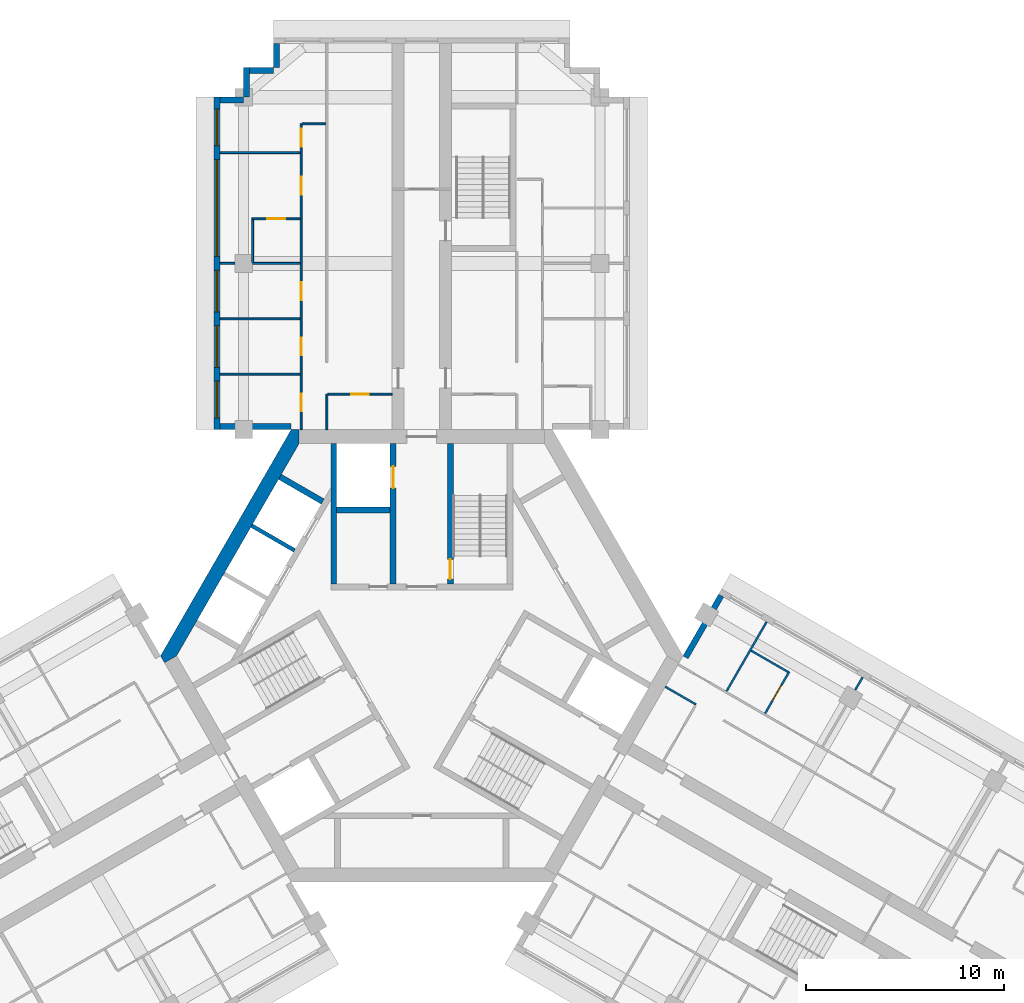
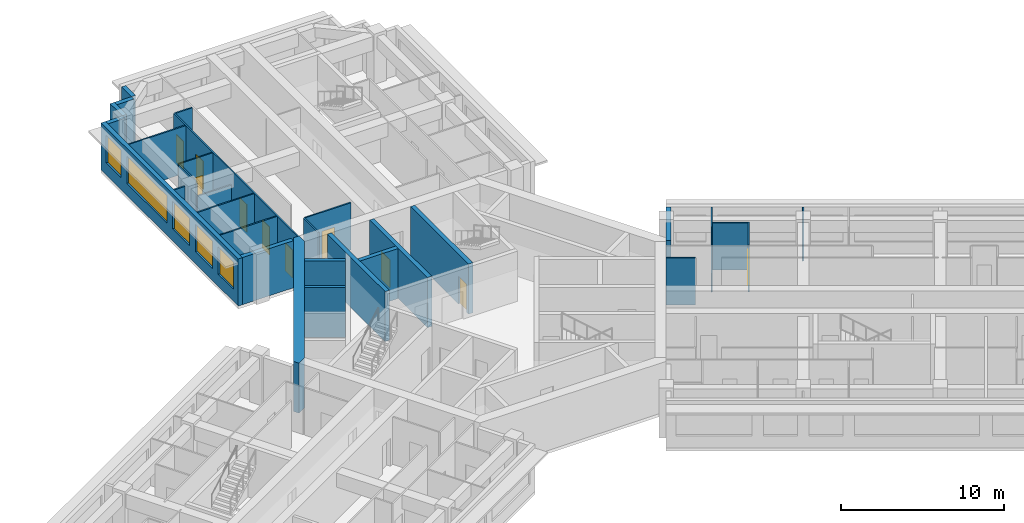
# One storey, part 7 of 11: 30 walls, 10 doors, 5 windows, 15 openings.
"""IFC4 building model written with IfcOpenShell, lengths in metres."""

from ifc_helpers import new_model, si_unit, direction, frame, frame_2d, origin, place, context, subcontext, project, spatial, polyline, rectangle, outline, extrude, material, layer, layer_set, type_object, element, fill, save


model = new_model("IFC4")

# Units and contexts
model_context = context("Model", 3, precision=1e-05, world=origin(), true_north=direction((0.0, 1.0)))
body_context = subcontext(model_context, "Body", "Model", "MODEL_VIEW")
ifc_project = project(units=[si_unit("LENGTHUNIT", "METRE"), si_unit("AREAUNIT", "SQUARE_METRE"), si_unit("VOLUMEUNIT", "CUBIC_METRE"), si_unit("PLANEANGLEUNIT", "RADIAN"), si_unit("MASSUNIT", "GRAM", prefix="KILO")], contexts=[model_context])

# Site, building, storey
site_placement = place(None, origin())
site = spatial("IfcSite", under=ifc_project, at=site_placement, CompositionType="ELEMENT")
building_placement = place(site_placement, origin())
building = spatial("IfcBuilding", under=site, at=building_placement, Name="Impinga Residences", CompositionType="ELEMENT")
storey_placement = place(building_placement, frame((0.0, 0.0, 203.5)))
storey = spatial("IfcBuildingStorey", under=building, at=storey_placement, Name="L50", CompositionType="ELEMENT", Elevation=203.5)

# Wall
ifc_material_1 = material(Name="Terracotta rainscreen on blockwork", Category="masonry")
ifc_layer_1 = layer(ifc_material_1, 0.300048828125)
ifc_layer_set_1 = layer_set([ifc_layer_1], Name="EW1 external wall, terracotta rainscreen on blockwork 300")
wall_type_1 = type_object("IfcWallType", Name="EW1 external wall, terracotta rainscreen on blockwork 300", PredefinedType="SOLIDWALL", material=ifc_layer_set_1)
wall_1_placement = place(storey_placement, frame((-6.60009765625, 11.58154296875, 0.0), z_axis=(0.0, 0.0, 1.0), x_axis=(-1.0, 0.0, 0.0)))
element("IfcWall", 1, at=wall_1_placement, inside=storey, type_object=wall_type_1, Name="External wall EW1 L50", PredefinedType="SOLIDWALL", context=body_context, shape_type="SweptSolid", body=[
    extrude(rectangle(XDim=3.599853515625, YDim=0.300048828125, at=frame_2d((1.7998046875, 0.0))), origin(), (0.0, 0.0, 1.0), 3.530029296875),
])

# Wall, openings, windows
wall_2_placement = place(storey_placement, frame((-10.35009765625, 11.431640625, 0.0), z_axis=(0.0, 0.0, 1.0), x_axis=(0.0, 1.0, 0.0)))
wall_2 = element("IfcWall", 2, at=wall_2_placement, inside=storey, type_object=wall_type_1, Name="External wall EW1 L50", PredefinedType="SOLIDWALL", context=body_context, shape_type="SweptSolid", body=[
    extrude(rectangle(XDim=16.7998046875, YDim=0.300048828125, at=frame_2d((8.39990234375, 0.0))), origin(), (0.0, 0.0, 1.0), 3.530029296875),
])
opening_1_placement = place(wall_2_placement, frame((0.60009765625, 0.0, 0.89990234375)))
opening_1 = element("IfcOpeningElement", 3, at=opening_1_placement, cuts=wall_2, Name="Opening W15", PredefinedType="OPENING", context=body_context, shape_type="SweptSolid", body=[
    extrude(rectangle(XDim=1.85009765625, YDim=2.050048828125, at=frame_2d((0.925048828125, 1.02490234375))), frame((0.0, 0.159912109375, 0.0), z_axis=(0.0, -1.0, 0.0), x_axis=(1.0, 0.0, 0.0)), (0.0, 0.0, 1.0), 0.320068359375),
])
opening_2_placement = place(wall_2_placement, frame((3.14990234375, 0.0, 0.89990234375)))
opening_2 = element("IfcOpeningElement", 4, at=opening_2_placement, cuts=wall_2, Name="Opening W9", PredefinedType="OPENING", context=body_context, shape_type="SweptSolid", body=[
    extrude(rectangle(XDim=2.10009765625, YDim=2.050048828125, at=frame_2d((1.050048828125, 1.02490234375))), frame((0.0, 0.159912109375, 0.0), z_axis=(0.0, -1.0, 0.0), x_axis=(1.0, 0.0, 0.0)), (0.0, 0.0, 1.0), 0.320068359375),
])
opening_3_placement = place(wall_2_placement, frame((5.949951171875, 0.0, 0.89990234375)))
opening_3 = element("IfcOpeningElement", 5, at=opening_3_placement, cuts=wall_2, Name="Opening W9", PredefinedType="OPENING", context=body_context, shape_type="SweptSolid", body=[
    extrude(rectangle(XDim=2.10009765625, YDim=2.050048828125, at=frame_2d((1.050048828125, 1.02490234375))), frame((0.0, 0.159912109375, 0.0), z_axis=(0.0, -1.0, 0.0), x_axis=(1.0, 0.0, 0.0)), (0.0, 0.0, 1.0), 0.320068359375),
])
opening_4_placement = place(wall_2_placement, frame((8.75, 0.0, 0.89990234375)))
opening_4 = element("IfcOpeningElement", 6, at=opening_4_placement, cuts=wall_2, Name="Opening W16", PredefinedType="OPENING", context=body_context, shape_type="SweptSolid", body=[
    extrude(rectangle(XDim=4.89990234375, YDim=2.050048828125, at=frame_2d((2.449951171875, 1.02490234375))), frame((0.0, 0.159912109375, 0.0), z_axis=(0.0, -1.0, 0.0), x_axis=(1.0, 0.0, 0.0)), (0.0, 0.0, 1.0), 0.320068359375),
])
opening_5_placement = place(wall_2_placement, frame((14.35009765625, 0.0, 0.89990234375)))
opening_5 = element("IfcOpeningElement", 7, at=opening_5_placement, cuts=wall_2, Name="Opening W15", PredefinedType="OPENING", context=body_context, shape_type="SweptSolid", body=[
    extrude(rectangle(XDim=1.85009765625, YDim=2.050048828125, at=frame_2d((0.925048828125, 1.02490234375))), frame((0.0, 0.159912109375, 0.0), z_axis=(0.0, -1.0, 0.0), x_axis=(1.0, 0.0, 0.0)), (0.0, 0.0, 1.0), 0.320068359375),
])
ifc_material_2 = material(Name="Aluminium window, clear double glazing", Category="aluminium")
window_type_1 = type_object("IfcWindowType", Name="W15 ribbon window 1850x2050", PartitioningType="SINGLE_PANEL", PredefinedType="WINDOW", material=ifc_material_2)
window_1_placement = place(opening_1_placement, origin())
window_1 = element("IfcWindow", 8, at=window_1_placement, inside=storey, type_object=window_type_1, Name="Window L50", OverallHeight=2.050048828125, OverallWidth=1.85009765625, PartitioningType="SINGLE_PANEL", PredefinedType="WINDOW", context=body_context, shape_type="SweptSolid", body=[
    extrude(rectangle(XDim=1.85009765625, YDim=2.050048828125, at=frame_2d((0.925048828125, 1.02490234375))), frame((0.0, 0.030029296875, 0.0), z_axis=(0.0, -1.0, 0.0), x_axis=(1.0, 0.0, 0.0)), (0.0, 0.0, 1.0), 0.06005859375),
])
fill(opening_1, window_1)
window_2_placement = place(opening_5_placement, origin())
window_2 = element("IfcWindow", 9, at=window_2_placement, inside=storey, type_object=window_type_1, Name="Window L50", OverallHeight=2.050048828125, OverallWidth=1.85009765625, PartitioningType="SINGLE_PANEL", PredefinedType="WINDOW", context=body_context, shape_type="SweptSolid", body=[
    extrude(rectangle(XDim=1.85009765625, YDim=2.050048828125, at=frame_2d((0.925048828125, 1.02490234375))), frame((0.0, 0.030029296875, 0.0), z_axis=(0.0, -1.0, 0.0), x_axis=(1.0, 0.0, 0.0)), (0.0, 0.0, 1.0), 0.06005859375),
])
fill(opening_5, window_2)
window_type_2 = type_object("IfcWindowType", Name="W16 ribbon window 4900x2050", PartitioningType="SINGLE_PANEL", PredefinedType="WINDOW", material=ifc_material_2)
window_3_placement = place(opening_4_placement, origin())
window_3 = element("IfcWindow", 10, at=window_3_placement, inside=storey, type_object=window_type_2, Name="Window L50", OverallHeight=2.050048828125, OverallWidth=4.89990234375, PartitioningType="SINGLE_PANEL", PredefinedType="WINDOW", context=body_context, shape_type="SweptSolid", body=[
    extrude(rectangle(XDim=4.89990234375, YDim=2.050048828125, at=frame_2d((2.449951171875, 1.02490234375))), frame((0.0, 0.030029296875, 0.0), z_axis=(0.0, -1.0, 0.0), x_axis=(1.0, 0.0, 0.0)), (0.0, 0.0, 1.0), 0.06005859375),
])
fill(opening_4, window_3)
window_type_3 = type_object("IfcWindowType", Name="W9 ribbon window 2100x2050", PartitioningType="SINGLE_PANEL", PredefinedType="WINDOW", material=ifc_material_2)
window_4_placement = place(opening_2_placement, origin())
window_4 = element("IfcWindow", 11, at=window_4_placement, inside=storey, type_object=window_type_3, Name="Window L50", OverallHeight=2.050048828125, OverallWidth=2.10009765625, PartitioningType="SINGLE_PANEL", PredefinedType="WINDOW", context=body_context, shape_type="SweptSolid", body=[
    extrude(rectangle(XDim=2.10009765625, YDim=2.050048828125, at=frame_2d((1.050048828125, 1.02490234375))), frame((0.0, 0.030029296875, 0.0), z_axis=(0.0, -1.0, 0.0), x_axis=(1.0, 0.0, 0.0)), (0.0, 0.0, 1.0), 0.06005859375),
])
fill(opening_2, window_4)
window_5_placement = place(opening_3_placement, origin())
window_5 = element("IfcWindow", 12, at=window_5_placement, inside=storey, type_object=window_type_3, Name="Window L50", OverallHeight=2.050048828125, OverallWidth=2.10009765625, PartitioningType="SINGLE_PANEL", PredefinedType="WINDOW", context=body_context, shape_type="SweptSolid", body=[
    extrude(rectangle(XDim=2.10009765625, YDim=2.050048828125, at=frame_2d((1.050048828125, 1.02490234375))), frame((0.0, 0.030029296875, 0.0), z_axis=(0.0, -1.0, 0.0), x_axis=(1.0, 0.0, 0.0)), (0.0, 0.0, 1.0), 0.06005859375),
])
fill(opening_3, window_5)

# Walls
wall_3_placement = place(storey_placement, frame((-10.199951171875, 28.08154296875, 0.0), z_axis=(0.0, 0.0, 1.0), x_axis=(1.0, 0.0, 0.0)))
element("IfcWall", 13, at=wall_3_placement, inside=storey, type_object=wall_type_1, Name="External wall EW1 L50", PredefinedType="SOLIDWALL", context=body_context, shape_type="SweptSolid", body=[
    extrude(rectangle(XDim=1.199951171875, YDim=0.300048828125, at=frame_2d((0.60009765625, 0.0))), origin(), (0.0, 0.0, 1.0), 3.530029296875),
])
wall_4_placement = place(storey_placement, frame((-8.85009765625, 28.236572265625, 0.0), z_axis=(0.0, 0.0, 1.0), x_axis=(0.0, 1.0, 0.0)))
element("IfcWall", 14, at=wall_4_placement, inside=storey, type_object=wall_type_1, Name="External wall EW1 L50", PredefinedType="SOLIDWALL", context=body_context, shape_type="SweptSolid", body=[
    extrude(rectangle(XDim=1.494873046875, YDim=0.300048828125, at=frame_2d((0.74755859375, 0.0))), origin(), (0.0, 0.0, 1.0), 3.530029296875),
])
wall_5_placement = place(storey_placement, frame((-8.699951171875, 29.58154296875, 0.0), z_axis=(0.0, 0.0, 1.0), x_axis=(1.0, 0.0, 0.0)))
element("IfcWall", 15, at=wall_5_placement, inside=storey, type_object=wall_type_1, Name="External wall EW1 L50", PredefinedType="SOLIDWALL", context=body_context, shape_type="SweptSolid", body=[
    extrude(rectangle(XDim=1.199951171875, YDim=0.300048828125, at=frame_2d((0.60009765625, 0.0))), origin(), (0.0, 0.0, 1.0), 3.530029296875),
])
wall_6_placement = place(storey_placement, frame((-7.35009765625, 29.736572265625, 0.0), z_axis=(0.0, 0.0, 1.0), x_axis=(0.0, 1.0, 0.0)))
element("IfcWall", 16, at=wall_6_placement, inside=storey, type_object=wall_type_1, Name="External wall EW1 L50", PredefinedType="SOLIDWALL", context=body_context, shape_type="SweptSolid", body=[
    extrude(rectangle(XDim=1.195068359375, YDim=0.300048828125, at=frame_2d((0.59765625, 0.0))), origin(), (0.0, 0.0, 1.0), 3.530029296875),
])
wall_7_placement = place(storey_placement, frame((13.329833984375, -0.074951171875, 0.0), z_axis=(0.0, 0.0, 1.0), x_axis=(0.500012057535, 0.866018442252, 0.0)))
element("IfcWall", 17, at=wall_7_placement, inside=storey, type_object=wall_type_1, Name="External wall EW1 L50", PredefinedType="SOLIDWALL", context=body_context, shape_type="SweptSolid", body=[
    extrude(rectangle(XDim=3.60009765625, YDim=0.300048828125, at=frame_2d((1.800048828125, 0.0))), origin(), (0.0, 0.0, 1.0), 3.530029296875),
])
ifc_material_3 = material(Name="Gypsum board on steel studs", Category="steel")
ifc_layer_2 = layer(ifc_material_3, 0.10009765625)
ifc_layer_set_2 = layer_set([ifc_layer_2], Name="Gypsum board on steel studs")
wall_type_2 = type_object("IfcWallType", Name="IP1 partition 100", PredefinedType="PARTITIONING", material=ifc_layer_set_2)
wall_8_placement = place(storey_placement, frame((-4.800048828125, 11.431640625, 0.0), z_axis=(0.0, 0.0, 1.0), x_axis=(0.0, 1.0, 0.0)))
element("IfcWall", 18, at=wall_8_placement, inside=storey, type_object=wall_type_2, Name="Partition L50-NA1:DIV0", PredefinedType="PARTITIONING", context=body_context, shape_type="SweptSolid", body=[
    extrude(rectangle(XDim=1.7998046875, YDim=0.10009765625, at=frame_2d((0.89990234375, 0.0))), origin(), (0.0, 0.0, 1.0), 3.530029296875),
])

# Wall, openings, doors
wall_9_placement = place(storey_placement, frame((-6.10009765625, 11.431640625, 0.0), z_axis=(0.0, 0.0, 1.0), x_axis=(0.0, 1.0, 0.0)))
wall_9 = element("IfcWall", 19, at=wall_9_placement, inside=storey, type_object=wall_type_2, Name="Partition L50-NA1:STRIP", PredefinedType="PARTITIONING", context=body_context, shape_type="SweptSolid", body=[
    extrude(rectangle(XDim=15.449951171875, YDim=0.10009765625, at=frame_2d((7.72509765625, 0.0))), origin(), (0.0, 0.0, 1.0), 3.530029296875),
])
opening_6_placement = place(wall_9_placement, frame((0.925048828125, 0.0, 0.0)))
opening_6 = element("IfcOpeningElement", 20, at=opening_6_placement, cuts=wall_9, Name="Opening D2", PredefinedType="OPENING", context=body_context, shape_type="SweptSolid", body=[
    extrude(rectangle(XDim=0.89990234375, YDim=2.10009765625, at=frame_2d((0.449951171875, 1.050048828125))), frame((0.0, 0.06005859375, 0.0), z_axis=(0.0, -1.0, 0.0), x_axis=(1.0, 0.0, 0.0)), (0.0, 0.0, 1.0), 0.1201171875),
])
opening_7_placement = place(wall_9_placement, frame((3.75, 0.0, 0.0)))
opening_7 = element("IfcOpeningElement", 21, at=opening_7_placement, cuts=wall_9, Name="Opening D2", PredefinedType="OPENING", context=body_context, shape_type="SweptSolid", body=[
    extrude(rectangle(XDim=0.89990234375, YDim=2.10009765625, at=frame_2d((0.449951171875, 1.050048828125))), frame((0.0, 0.06005859375, 0.0), z_axis=(0.0, -1.0, 0.0), x_axis=(1.0, 0.0, 0.0)), (0.0, 0.0, 1.0), 0.1201171875),
])
opening_8_placement = place(wall_9_placement, frame((6.550048828125, 0.0, 0.0)))
opening_8 = element("IfcOpeningElement", 22, at=opening_8_placement, cuts=wall_9, Name="Opening D2", PredefinedType="OPENING", context=body_context, shape_type="SweptSolid", body=[
    extrude(rectangle(XDim=0.89990234375, YDim=2.10009765625, at=frame_2d((0.449951171875, 1.050048828125))), frame((0.0, 0.06005859375, 0.0), z_axis=(0.0, -1.0, 0.0), x_axis=(1.0, 0.0, 0.0)), (0.0, 0.0, 1.0), 0.1201171875),
])
opening_9_placement = place(wall_9_placement, frame((11.875, 0.0, 0.0)))
opening_9 = element("IfcOpeningElement", 23, at=opening_9_placement, cuts=wall_9, Name="Opening D2", PredefinedType="OPENING", context=body_context, shape_type="SweptSolid", body=[
    extrude(rectangle(XDim=0.89990234375, YDim=2.10009765625, at=frame_2d((0.449951171875, 1.050048828125))), frame((0.0, 0.06005859375, 0.0), z_axis=(0.0, -1.0, 0.0), x_axis=(1.0, 0.0, 0.0)), (0.0, 0.0, 1.0), 0.1201171875),
])
opening_10_placement = place(wall_9_placement, frame((14.300048828125, 0.0, 0.0)))
opening_10 = element("IfcOpeningElement", 24, at=opening_10_placement, cuts=wall_9, Name="Opening D2", PredefinedType="OPENING", context=body_context, shape_type="SweptSolid", body=[
    extrude(rectangle(XDim=0.89990234375, YDim=2.10009765625, at=frame_2d((0.449951171875, 1.050048828125))), frame((0.0, 0.06005859375, 0.0), z_axis=(0.0, -1.0, 0.0), x_axis=(1.0, 0.0, 0.0)), (0.0, 0.0, 1.0), 0.1201171875),
])
ifc_material_4 = material(Name="Timber door set", Category="wood")
door_type_1 = type_object("IfcDoorType", Name="D2 internal door 900x2100", OperationType="SINGLE_SWING_LEFT", PredefinedType="DOOR", material=ifc_material_4)
door_1_placement = place(opening_6_placement, origin())
door_1 = element("IfcDoor", 25, at=door_1_placement, inside=storey, type_object=door_type_1, Name="Apartment L50-NA1 room door", OperationType="SINGLE_SWING_LEFT", OverallHeight=2.10009765625, OverallWidth=0.89990234375, PredefinedType="DOOR", context=body_context, shape_type="SweptSolid", body=[
    extrude(rectangle(XDim=0.89990234375, YDim=2.10009765625, at=frame_2d((0.449951171875, 1.050048828125))), frame((0.0, 0.02490234375, 0.0), z_axis=(0.0, -1.0, 0.0), x_axis=(1.0, 0.0, 0.0)), (0.0, 0.0, 1.0), 0.050048828125),
])
fill(opening_6, door_1)
door_2_placement = place(opening_7_placement, origin())
door_2 = element("IfcDoor", 26, at=door_2_placement, inside=storey, type_object=door_type_1, Name="Apartment L50-NA1 room door", OperationType="SINGLE_SWING_LEFT", OverallHeight=2.10009765625, OverallWidth=0.89990234375, PredefinedType="DOOR", context=body_context, shape_type="SweptSolid", body=[
    extrude(rectangle(XDim=0.89990234375, YDim=2.10009765625, at=frame_2d((0.449951171875, 1.050048828125))), frame((0.0, 0.02490234375, 0.0), z_axis=(0.0, -1.0, 0.0), x_axis=(1.0, 0.0, 0.0)), (0.0, 0.0, 1.0), 0.050048828125),
])
fill(opening_7, door_2)
door_3_placement = place(opening_8_placement, origin())
door_3 = element("IfcDoor", 27, at=door_3_placement, inside=storey, type_object=door_type_1, Name="Apartment L50-NA1 room door", OperationType="SINGLE_SWING_LEFT", OverallHeight=2.10009765625, OverallWidth=0.89990234375, PredefinedType="DOOR", context=body_context, shape_type="SweptSolid", body=[
    extrude(rectangle(XDim=0.89990234375, YDim=2.10009765625, at=frame_2d((0.449951171875, 1.050048828125))), frame((0.0, 0.02490234375, 0.0), z_axis=(0.0, -1.0, 0.0), x_axis=(1.0, 0.0, 0.0)), (0.0, 0.0, 1.0), 0.050048828125),
])
fill(opening_8, door_3)
door_4_placement = place(opening_9_placement, origin())
door_4 = element("IfcDoor", 28, at=door_4_placement, inside=storey, type_object=door_type_1, Name="Apartment L50-NA1 room door", OperationType="SINGLE_SWING_RIGHT", OverallHeight=2.10009765625, OverallWidth=0.89990234375, PredefinedType="DOOR", context=body_context, shape_type="SweptSolid", body=[
    extrude(rectangle(XDim=0.89990234375, YDim=2.10009765625, at=frame_2d((0.449951171875, 1.050048828125))), frame((0.0, 0.02490234375, 0.0), z_axis=(0.0, -1.0, 0.0), x_axis=(1.0, 0.0, 0.0)), (0.0, 0.0, 1.0), 0.050048828125),
])
fill(opening_9, door_4)
door_5_placement = place(opening_10_placement, origin())
door_5 = element("IfcDoor", 29, at=door_5_placement, inside=storey, type_object=door_type_1, Name="Apartment L50-NA1 room door", OperationType="SINGLE_SWING_RIGHT", OverallHeight=2.10009765625, OverallWidth=0.89990234375, PredefinedType="DOOR", context=body_context, shape_type="SweptSolid", body=[
    extrude(rectangle(XDim=0.89990234375, YDim=2.10009765625, at=frame_2d((0.449951171875, 1.050048828125))), frame((0.0, 0.02490234375, 0.0), z_axis=(0.0, -1.0, 0.0), x_axis=(1.0, 0.0, 0.0)), (0.0, 0.0, 1.0), 0.050048828125),
])
fill(opening_10, door_5)

# Wall
wall_10_placement = place(storey_placement, frame((-4.85009765625, 26.881591796875, 0.0), z_axis=(0.0, 0.0, 1.0), x_axis=(-1.0, 0.0, 0.0)))
element("IfcWall", 30, at=wall_10_placement, inside=storey, type_object=wall_type_2, Name="Partition L50-NA1:SE1", PredefinedType="PARTITIONING", context=body_context, shape_type="SweptSolid", body=[
    extrude(rectangle(XDim=1.199951171875, YDim=0.10009765625, at=frame_2d((0.60009765625, 0.0))), origin(), (0.0, 0.0, 1.0), 3.530029296875),
])

# Wall, opening, door
wall_11_placement = place(storey_placement, frame((-1.5, 13.2314453125, 0.0), z_axis=(0.0, 0.0, 1.0), x_axis=(-1.0, 0.0, 0.0)))
wall_11 = element("IfcWall", 31, at=wall_11_placement, inside=storey, type_object=wall_type_2, Name="Partition L50-NA1:IB1", PredefinedType="PARTITIONING", context=body_context, shape_type="SweptSolid", body=[
    extrude(rectangle(XDim=3.25, YDim=0.10009765625, at=frame_2d((1.625, 0.0))), origin(), (0.0, 0.0, 1.0), 3.530029296875),
])
opening_11_placement = place(wall_11_placement, frame((1.175048828125, 0.0, 0.0)))
opening_11 = element("IfcOpeningElement", 32, at=opening_11_placement, cuts=wall_11, Name="Opening D2", PredefinedType="OPENING", context=body_context, shape_type="SweptSolid", body=[
    extrude(rectangle(XDim=0.89990234375, YDim=2.10009765625, at=frame_2d((0.449951171875, 1.050048828125))), frame((0.0, 0.06005859375, 0.0), z_axis=(0.0, -1.0, 0.0), x_axis=(1.0, 0.0, 0.0)), (0.0, 0.0, 1.0), 0.1201171875),
])
door_6_placement = place(opening_11_placement, origin())
door_6 = element("IfcDoor", 33, at=door_6_placement, inside=storey, type_object=door_type_1, Name="Apartment L50-NA1 bathroom door", OperationType="SINGLE_SWING_LEFT", OverallHeight=2.10009765625, OverallWidth=0.89990234375, PredefinedType="DOOR", context=body_context, shape_type="SweptSolid", body=[
    extrude(rectangle(XDim=0.89990234375, YDim=2.10009765625, at=frame_2d((0.449951171875, 1.050048828125))), frame((0.0, 0.02490234375, 0.0), z_axis=(0.0, -1.0, 0.0), x_axis=(1.0, 0.0, 0.0)), (0.0, 0.0, 1.0), 0.050048828125),
])
fill(opening_11, door_6)

# Walls
for number, where, z_axis, x_axis, name in (
    (34, (-6.14990234375, 14.2314453125, 0.0), (0.0, 0.0, 1.0), (-1.0, 0.0, 0.0), "Partition L50-NA1:OB1"),
    (35, (-6.14990234375, 17.031494140625, 0.0), (0.0, 0.0, 1.0), (-1.0, 0.0, 0.0), "Partition L50-NA1:OB2"),
):
    element("IfcWall", number, at=place(storey_placement, frame(where, z_axis=z_axis, x_axis=x_axis)), inside=storey, type_object=wall_type_2, Name=name, PredefinedType="PARTITIONING", context=body_context, shape_type="SweptSolid", body=[
        extrude(rectangle(XDim=4.050048828125, YDim=0.10009765625, at=frame_2d((2.02490234375, 0.0))), origin(), (0.0, 0.0, 1.0), 3.530029296875),
    ])
wall_12_placement = place(storey_placement, frame((-6.14990234375, 19.83154296875, 0.0), z_axis=(0.0, 0.0, 1.0), x_axis=(-1.0, 0.0, 0.0)))
element("IfcWall", 36, at=wall_12_placement, inside=storey, type_object=wall_type_2, Name="Partition L50-NA1:OB3", PredefinedType="PARTITIONING", context=body_context, shape_type="SweptSolid", body=[
    extrude(rectangle(XDim=2.400146484375, YDim=0.10009765625, at=frame_2d((1.2001953125, 0.0))), origin(), (0.0, 0.0, 1.0), 2.47998046875),
])
wall_13_placement = place(storey_placement, frame((-9.449951171875, 19.83154296875, 0.0), z_axis=(0.0, 0.0, 1.0), x_axis=(-1.0, 0.0, 0.0)))
element("IfcWall", 37, at=wall_13_placement, inside=storey, type_object=wall_type_2, Name="Partition L50-NA1:OB3b", PredefinedType="PARTITIONING", context=body_context, shape_type="SweptSolid", body=[
    extrude(rectangle(XDim=0.75, YDim=0.10009765625, at=frame_2d((0.375, 0.0))), origin(), (0.0, 0.0, 1.0), 3.530029296875),
])
wall_14_placement = place(storey_placement, frame((-6.14990234375, 25.431640625, 0.0), z_axis=(0.0, 0.0, 1.0), x_axis=(-1.0, 0.0, 0.0)))
element("IfcWall", 38, at=wall_14_placement, inside=storey, type_object=wall_type_2, Name="Partition L50-NA1:OB4", PredefinedType="PARTITIONING", context=body_context, shape_type="SweptSolid", body=[
    extrude(rectangle(XDim=4.050048828125, YDim=0.10009765625, at=frame_2d((2.02490234375, 0.0))), origin(), (0.0, 0.0, 1.0), 3.530029296875),
])

# Wall, opening, door
wall_15_placement = place(storey_placement, frame((-6.14990234375, 22.08154296875, 0.0), z_axis=(0.0, 0.0, 1.0), x_axis=(-1.0, 0.0, 0.0)))
wall_15 = element("IfcWall", 39, at=wall_15_placement, inside=storey, type_object=wall_type_2, Name="Partition L50-NA1:EN1", PredefinedType="PARTITIONING", context=body_context, shape_type="SweptSolid", body=[
    extrude(rectangle(XDim=2.4501953125, YDim=0.10009765625, at=frame_2d((1.22509765625, 0.0))), origin(), (0.0, 0.0, 1.0), 3.530029296875),
])
opening_12_placement = place(wall_15_placement, frame((0.75, 0.0, 0.0)))
opening_12 = element("IfcOpeningElement", 40, at=opening_12_placement, cuts=wall_15, Name="Opening D2", PredefinedType="OPENING", context=body_context, shape_type="SweptSolid", body=[
    extrude(rectangle(XDim=0.89990234375, YDim=2.10009765625, at=frame_2d((0.449951171875, 1.050048828125))), frame((0.0, 0.06005859375, 0.0), z_axis=(0.0, -1.0, 0.0), x_axis=(1.0, 0.0, 0.0)), (0.0, 0.0, 1.0), 0.1201171875),
])
door_7_placement = place(opening_12_placement, origin())
door_7 = element("IfcDoor", 41, at=door_7_placement, inside=storey, type_object=door_type_1, Name="Apartment L50-NA1 en-suite door", OperationType="SINGLE_SWING_LEFT", OverallHeight=2.10009765625, OverallWidth=0.89990234375, PredefinedType="DOOR", context=body_context, shape_type="SweptSolid", body=[
    extrude(rectangle(XDim=0.89990234375, YDim=2.10009765625, at=frame_2d((0.449951171875, 1.050048828125))), frame((0.0, 0.02490234375, 0.0), z_axis=(0.0, -1.0, 0.0), x_axis=(1.0, 0.0, 0.0)), (0.0, 0.0, 1.0), 0.050048828125),
])
fill(opening_12, door_7)

# Walls
wall_16_placement = place(storey_placement, frame((-8.550048828125, 19.881591796875, 0.0), z_axis=(0.0, 0.0, 1.0), x_axis=(0.0, 1.0, 0.0)))
element("IfcWall", 42, at=wall_16_placement, inside=storey, type_object=wall_type_2, Name="Partition L50-NA1:EN2", PredefinedType="PARTITIONING", context=body_context, shape_type="SweptSolid", body=[
    extrude(rectangle(XDim=2.14990234375, YDim=0.10009765625, at=frame_2d((1.074951171875, 0.0))), origin(), (0.0, 0.0, 1.0), 3.530029296875),
])
wall_17_placement = place(storey_placement, frame((12.300048828125, -1.558837890625, 0.0), z_axis=(0.0, 0.0, 1.0), x_axis=(0.866047807691, -0.499961193289, 0.0)))
element("IfcWall", 43, at=wall_17_placement, inside=storey, type_object=wall_type_2, Name="Partition L50-EA1:DIV0", PredefinedType="PARTITIONING", context=body_context, shape_type="SweptSolid", body=[
    extrude(rectangle(XDim=1.800048828125, YDim=0.10009765625, at=frame_2d((0.89990234375, 0.0))), origin(), (0.0, 0.0, 1.0), 3.530029296875),
])
wall_18_placement = place(storey_placement, frame((15.39990234375, -1.789794921875, 0.0), z_axis=(0.0, 0.0, 1.0), x_axis=(0.499964223975, 0.866046058097, 0.0)))
element("IfcWall", 44, at=wall_18_placement, inside=storey, type_object=wall_type_2, Name="Partition L50-EA1:OB1", PredefinedType="PARTITIONING", context=body_context, shape_type="SweptSolid", body=[
    extrude(rectangle(XDim=4.050048828125, YDim=0.10009765625, at=frame_2d((2.02490234375, 0.0))), origin(), (0.0, 0.0, 1.0), 3.530029296875),
])
wall_19_placement = place(storey_placement, frame((21.899658203125, -1.73193359375, 0.0), z_axis=(0.0, 0.0, 1.0), x_axis=(0.499919672301, 0.866071776036, 0.0)))
element("IfcWall", 45, at=wall_19_placement, inside=storey, type_object=wall_type_2, Name="Partition L50-EA1:OB2b", PredefinedType="PARTITIONING", context=body_context, shape_type="SweptSolid", body=[
    extrude(rectangle(XDim=0.75, YDim=0.10009765625, at=frame_2d((0.375, 0.0))), origin(), (0.0, 0.0, 1.0), 3.530029296875),
])

# Wall, opening, door
wall_20_placement = place(storey_placement, frame((17.348388671875, -2.914794921875, 0.0), z_axis=(0.0, 0.0, 1.0), x_axis=(0.500018594424, 0.866014668023, 0.0)))
wall_20 = element("IfcWall", 46, at=wall_20_placement, inside=storey, type_object=wall_type_2, Name="Partition L50-EA1:EN1", PredefinedType="PARTITIONING", context=body_context, shape_type="SweptSolid", body=[
    extrude(rectangle(XDim=2.4501953125, YDim=0.10009765625, at=frame_2d((1.22509765625, 0.0))), origin(), (0.0, 0.0, 1.0), 3.530029296875),
])
opening_13_placement = place(wall_20_placement, frame((0.75, 0.0, 0.0)))
opening_13 = element("IfcOpeningElement", 47, at=opening_13_placement, cuts=wall_20, Name="Opening D2", PredefinedType="OPENING", context=body_context, shape_type="SweptSolid", body=[
    extrude(rectangle(XDim=0.89990234375, YDim=2.10009765625, at=frame_2d((0.449951171875, 1.050048828125))), frame((0.0, 0.06005859375, 0.0), z_axis=(0.0, -1.0, 0.0), x_axis=(1.0, 0.0, 0.0)), (0.0, 0.0, 1.0), 0.1201171875),
])
door_8_placement = place(opening_13_placement, origin())
door_8 = element("IfcDoor", 48, at=door_8_placement, inside=storey, type_object=door_type_1, Name="Apartment L50-EA1 en-suite door", OperationType="SINGLE_SWING_LEFT", OverallHeight=2.10009765625, OverallWidth=0.89990234375, PredefinedType="DOOR", context=body_context, shape_type="SweptSolid", body=[
    extrude(rectangle(XDim=0.89990234375, YDim=2.10009765625, at=frame_2d((0.449951171875, 1.050048828125))), frame((0.0, 0.02490234375, 0.0), z_axis=(0.0, -1.0, 0.0), x_axis=(1.0, 0.0, 0.0)), (0.0, 0.0, 1.0), 0.050048828125),
])
fill(opening_13, door_8)

# Walls
wall_21_placement = place(storey_placement, frame((16.64306640625, 0.263671875, 0.0), z_axis=(0.0, 0.0, 1.0), x_axis=(0.866047553582, -0.499961633463, 0.0)))
element("IfcWall", 49, at=wall_21_placement, inside=storey, type_object=wall_type_2, Name="Partition L50-EA1:EN2", PredefinedType="PARTITIONING", context=body_context, shape_type="SweptSolid", body=[
    extrude(rectangle(XDim=2.150146484375, YDim=0.10009765625, at=frame_2d((1.0751953125, 0.0))), origin(), (0.0, 0.0, 1.0), 3.530029296875),
])
ifc_material_5 = material(Name="Concrete C60/75", Category="concrete")
ifc_layer_3 = layer(ifc_material_5, 0.699951171875)
ifc_layer_set_3 = layer_set([ifc_layer_3], Name="Concrete C60/75")
wall_type_3 = type_object("IfcWallType", Name="SW3 core wall 700", PredefinedType="SHEAR", material=ifc_layer_set_3)
wall_22_placement = place(storey_placement, origin())
element("IfcWall", 50, at=wall_22_placement, inside=storey, type_object=wall_type_3, Name="Core wall SW3 E:EXPOSED L50", PredefinedType="SHEAR", context=body_context, shape_type="SweptSolid", body=[
    extrude(outline(polyline([(-6.60009765625, 11.431640625), (-13.199951171875, 0.0), (-12.998046875, -0.35009765625), (-12.3916015625, 0.0), (-6.19580078125, 10.7314453125), (-6.19580078125, 11.431640625), (-6.60009765625, 11.431640625)])), origin(), (0.0, 0.0, 1.0), 3.75),
])

# Wall, opening, door
ifc_material_6 = material(Name="Concrete C70/85", Category="concrete")
ifc_layer_4 = layer(ifc_material_6, 0.300048828125)
ifc_layer_set_4 = layer_set([ifc_layer_4], Name="Concrete C70/85")
wall_type_4 = type_object("IfcWallType", Name="SW5 core inner wall, stairs, shafts and lobbies 300", PredefinedType="SHEAR", material=ifc_layer_set_4)
wall_23_placement = place(storey_placement, frame((1.449951171875, 3.6298828125, 0.0), z_axis=(0.0, 0.0, 1.0), x_axis=(0.0, 1.0, 0.0)))
wall_23 = element("IfcWall", 51, at=wall_23_placement, inside=storey, type_object=wall_type_4, Name="Core wall SW5 N:ST-IN L50", PredefinedType="SHEAR", context=body_context, shape_type="SweptSolid", body=[
    extrude(rectangle(XDim=7.1015625, YDim=0.300048828125, at=frame_2d((3.55078125, 0.0))), origin(), (0.0, 0.0, 1.0), 3.75),
])
opening_14_placement = place(wall_23_placement, frame((0.25, 0.0, 0.0)))
opening_14 = element("IfcOpeningElement", 52, at=opening_14_placement, cuts=wall_23, Name="Opening D5", PredefinedType="OPENING", context=body_context, shape_type="SweptSolid", body=[
    extrude(rectangle(XDim=1.0, YDim=2.10009765625, at=frame_2d((0.5, 1.050048828125))), frame((0.0, 0.159912109375, 0.0), z_axis=(0.0, -1.0, 0.0), x_axis=(1.0, 0.0, 0.0)), (0.0, 0.0, 1.0), 0.320068359375),
])
door_type_2 = type_object("IfcDoorType", Name="D5 stair door 1000x2100", OperationType="SINGLE_SWING_LEFT", PredefinedType="DOOR", material=ifc_material_4)
door_9_placement = place(opening_14_placement, origin())
door_9 = element("IfcDoor", 53, at=door_9_placement, inside=storey, type_object=door_type_2, Name="Stair door N", OperationType="SINGLE_SWING_LEFT", OverallHeight=2.10009765625, OverallWidth=1.0, PredefinedType="DOOR", context=body_context, shape_type="SweptSolid", body=[
    extrude(rectangle(XDim=1.0, YDim=2.10009765625, at=frame_2d((0.5, 1.050048828125))), frame((0.0, 0.02490234375, 0.0), z_axis=(0.0, -1.0, 0.0), x_axis=(1.0, 0.0, 0.0)), (0.0, 0.0, 1.0), 0.050048828125),
])
fill(opening_14, door_9)

wall_24_placement = place(storey_placement, frame((-1.449951171875, 3.6298828125, 0.0), z_axis=(0.0, 0.0, 1.0), x_axis=(0.0, 1.0, 0.0)))
wall_24 = element("IfcWall", 54, at=wall_24_placement, inside=storey, type_object=wall_type_4, Name="Core wall SW5 N:FF-IN L50", PredefinedType="SHEAR", context=body_context, shape_type="SweptSolid", body=[
    extrude(rectangle(XDim=7.1015625, YDim=0.300048828125, at=frame_2d((3.55078125, 0.0))), origin(), (0.0, 0.0, 1.0), 3.75),
])
opening_15_placement = place(wall_24_placement, frame((4.85009765625, 0.0, 0.0)))
opening_15 = element("IfcOpeningElement", 55, at=opening_15_placement, cuts=wall_24, Name="Opening LD2", PredefinedType="OPENING", context=body_context, shape_type="SweptSolid", body=[
    extrude(rectangle(XDim=1.10009765625, YDim=2.10009765625, at=frame_2d((0.550048828125, 1.050048828125))), frame((0.0, 0.159912109375, 0.0), z_axis=(0.0, -1.0, 0.0), x_axis=(1.0, 0.0, 0.0)), (0.0, 0.0, 1.0), 0.320068359375),
])
ifc_material_7 = material(Name="Steel lift landing door", Category="steel")
door_type_3 = type_object("IfcDoorType", Name="LD2 firefighting lift landing door 1100x2100", OperationType="DOUBLE_DOOR_SLIDING", PredefinedType="DOOR", material=ifc_material_7)
door_10_placement = place(opening_15_placement, origin())
door_10 = element("IfcDoor", 56, at=door_10_placement, inside=storey, type_object=door_type_3, Name="Firefighting lift landing door F1", OperationType="DOUBLE_DOOR_SLIDING", OverallHeight=2.10009765625, OverallWidth=1.10009765625, PredefinedType="DOOR", context=body_context, shape_type="SweptSolid", body=[
    extrude(rectangle(XDim=1.10009765625, YDim=2.10009765625, at=frame_2d((0.550048828125, 1.050048828125))), frame((0.0, 0.02490234375, 0.0), z_axis=(0.0, -1.0, 0.0), x_axis=(1.0, 0.0, 0.0)), (0.0, 0.0, 1.0), 0.050048828125),
])
fill(opening_15, door_10)

# Walls
wall_25_placement = place(storey_placement, frame((-4.449951171875, 3.6298828125, 0.0), z_axis=(0.0, 0.0, 1.0), x_axis=(0.0, 1.0, 0.0)))
element("IfcWall", 57, at=wall_25_placement, inside=storey, type_object=wall_type_4, Name="Core wall SW5 N:FF-OUT L50", PredefinedType="SHEAR", context=body_context, shape_type="SweptSolid", body=[
    extrude(rectangle(XDim=7.1015625, YDim=0.300048828125, at=frame_2d((3.55078125, 0.0))), origin(), (0.0, 0.0, 1.0), 3.75),
])
wall_26_placement = place(storey_placement, frame((-4.300048828125, 7.3798828125, 0.0), z_axis=(0.0, 0.0, 1.0), x_axis=(1.0, 0.0, 0.0)))
element("IfcWall", 58, at=wall_26_placement, inside=storey, type_object=wall_type_4, Name="Core wall SW5 N:FF-RS L50", PredefinedType="SHEAR", context=body_context, shape_type="SweptSolid", body=[
    extrude(rectangle(XDim=2.699951171875, YDim=0.300048828125, at=frame_2d((1.35009765625, 0.0))), origin(), (0.0, 0.0, 1.0), 3.75),
])
wall_27_placement = place(storey_placement, frame((-5.003662109375, 7.79638671875, 0.0), z_axis=(0.0, 0.0, 1.0), x_axis=(-0.866022959057, 0.500004234368, 0.0)))
element("IfcWall", 59, at=wall_27_placement, inside=storey, type_object=wall_type_4, Name="Core wall SW5 E:BANK-R L50", PredefinedType="SHEAR", context=body_context, shape_type="SweptSolid", body=[
    extrude(rectangle(XDim=2.5, YDim=0.300048828125, at=frame_2d((1.25, 0.0))), origin(), (0.0, 0.0, 1.0), 3.75),
])
ifc_layer_5 = layer(ifc_material_6, 0.199951171875)
ifc_layer_set_5 = layer_set([ifc_layer_5], Name="Concrete C70/85")
wall_type_5 = type_object("IfcWallType", Name="SW6 lift shaft divider wall 200", PredefinedType="SHEAR", material=ifc_layer_set_5)
wall_28_placement = place(storey_placement, frame((-6.4287109375, 5.328125, 0.0), z_axis=(0.0, 0.0, 1.0), x_axis=(-0.866022959057, 0.500004234368, 0.0)))
element("IfcWall", 60, at=wall_28_placement, inside=storey, type_object=wall_type_5, Name="Core wall SW6 E:BANK-D2 L50", PredefinedType="SHEAR", context=body_context, shape_type="SweptSolid", body=[
    extrude(rectangle(XDim=2.5, YDim=0.199951171875, at=frame_2d((1.25, 0.0))), origin(), (0.0, 0.0, 1.0), 3.75),
])

save(model, "model.ifc")
